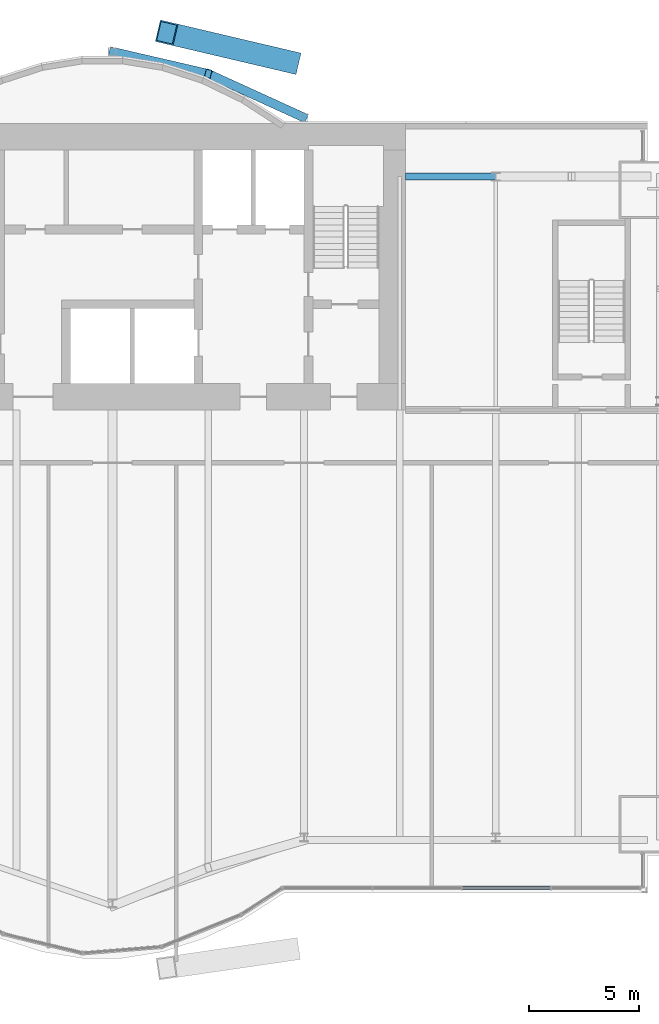
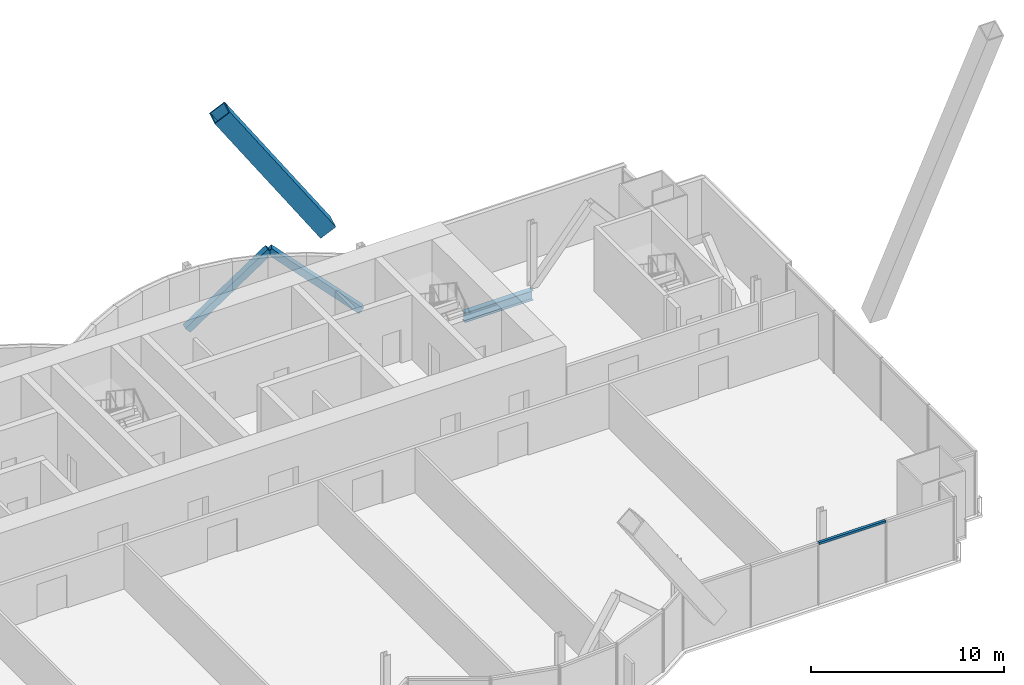
# One storey, part 13 of 24: 4 members, 1 beam, 1 element without a shape of its own.
"""IFC4 building model written with IfcOpenShell, lengths in metres."""

import ifcopenshell
import ifcopenshell.guid

model = None  # the IFC model being written
_history = None  # IfcOwnerHistory: only IFC2X3 demands one
_inside = {}  # id of a spatial element -> (the spatial element, [elements in it])
_under = {}  # id of a project, library or spatial element -> (it, [spatial elements below it])
_declared = {}  # id of a project -> (the project, [libraries it declares])
_typed = {}  # id of a type object -> (the type object, [elements of that type])
_made_of = {}  # id of a material, layer set ... -> (it, [elements and type objects made of it])


def new_model(schema):
    """Start an empty IFC model of exactly this schema.

    Asked for "IFC4X3", IfcOpenShell would pick the latest addendum, in which some entities
    have other attributes; the version numbers below select the first issue.
    IFC2X3 requires an IfcOwnerHistory on every rooted entity: one is made here for all.
    """
    global model, _history
    if schema == "IFC4X3":
        model = ifcopenshell.file(schema_version=(4, 3, 0, 0))
    else:
        model = ifcopenshell.file(schema=schema)
    _inside.clear()
    _under.clear()
    _declared.clear()
    _typed.clear()
    _made_of.clear()
    _history = None
    if model.schema == "IFC2X3":
        org = make("IfcOrganization", Name="unknown")
        user = make(
            "IfcPersonAndOrganization",
            ThePerson=make("IfcPerson", FamilyName="unknown"),
            TheOrganization=org,
        )
        app = make(
            "IfcApplication",
            ApplicationDeveloper=org,
            Version="unknown",
            ApplicationFullName="unknown",
            ApplicationIdentifier="unknown",
        )
        _history = make(
            "IfcOwnerHistory",
            OwningUser=user,
            OwningApplication=app,
            ChangeAction="ADDED",
            CreationDate=0,
        )
    return model


def make(cls, **values):
    """One entity of the class cls with the attributes given. An attribute that is None is left unset."""
    return model.create_entity(
        cls, **{name: value for name, value in values.items() if value is not None}
    )


def rooted(cls, **values):
    """An entity with a GlobalId (a new one), such as an element, a storey or a relation."""
    return make(cls, GlobalId=ifcopenshell.guid.new(), OwnerHistory=_history, **values)


def si_unit(unit_type, name, prefix=None):
    """IfcSIUnit, for example si_unit("LENGTHUNIT", "METRE", prefix="MILLI")."""
    return make("IfcSIUnit", UnitType=unit_type, Prefix=prefix, Name=name)


def assignment(units):
    """IfcUnitAssignment: the units of a project."""
    return None if units is None else make("IfcUnitAssignment", Units=units)


def point(xyz):
    """IfcCartesianPoint."""
    return None if xyz is None else make("IfcCartesianPoint", Coordinates=xyz)


def direction(xyz):
    """IfcDirection."""
    return None if xyz is None else make("IfcDirection", DirectionRatios=xyz)


def frame(location, z_axis=None, x_axis=None):
    """IfcAxis2Placement3D, a coordinate frame: its origin and axes. An axis left out is left unset."""
    return make(
        "IfcAxis2Placement3D",
        Location=point(location),
        Axis=direction(z_axis),
        RefDirection=direction(x_axis),
    )


def frame_2d(location, x_axis=None):
    """IfcAxis2Placement2D, a coordinate frame in the plane: its origin and x axis."""
    return make(
        "IfcAxis2Placement2D", Location=point(location), RefDirection=direction(x_axis)
    )


def origin():
    """The frame at (0, 0, 0) with its axes left unset."""
    return frame((0.0, 0.0, 0.0))


def origin_2d():
    """The frame at (0, 0) in the plane with its x axis left unset."""
    return frame_2d((0.0, 0.0))


def place(relative_to, where):
    """IfcLocalPlacement: puts the frame where relative to a parent placement (None: the world)."""
    return make(
        "IfcLocalPlacement", PlacementRelTo=relative_to, RelativePlacement=where
    )


def context(
    kind, dimensions, precision=None, world=None, true_north=None, identifier=None
):
    """IfcGeometricRepresentationContext, for example the 3D "Model" context."""
    return make(
        "IfcGeometricRepresentationContext",
        ContextIdentifier=identifier,
        ContextType=kind,
        CoordinateSpaceDimension=dimensions,
        Precision=precision,
        WorldCoordinateSystem=world,
        TrueNorth=true_north,
    )


def subcontext(parent, identifier, kind, view, scale=None):
    """IfcGeometricRepresentationSubContext, for example "Body" below "Model"."""
    return make(
        "IfcGeometricRepresentationSubContext",
        ContextIdentifier=identifier,
        ContextType=kind,
        ParentContext=parent,
        TargetScale=scale,
        TargetView=view,
    )


def project(units=None, contexts=None):
    """IfcProject with its units and contexts."""
    return rooted(
        "IfcProject",
        Name="project",
        RepresentationContexts=contexts,
        UnitsInContext=assignment(units),
    )


def spatial(cls, under=None, at=None, **own):
    """A site, building, storey or space (cls), placed at a placement, below another one or the project."""
    s = rooted(cls, ObjectPlacement=at, **own)
    if under is not None:
        _under.setdefault(under.id(), (under, []))[1].append(s)
    return s


def profile(cls, at=None, kind="AREA", **sizes):
    """A parametric profile (cls). Its sizes go by their IFC names, for example OverallWidth=200.0."""
    return make(cls, ProfileType=kind, Position=at, **sizes)


def rectangle(**sizes):
    """IfcRectangleProfileDef."""
    return profile("IfcRectangleProfileDef", **sizes)


def hollow_rectangle(**sizes):
    """IfcRectangleHollowProfileDef."""
    return profile("IfcRectangleHollowProfileDef", **sizes)


def i_section(**sizes):
    """IfcIShapeProfileDef."""
    return profile("IfcIShapeProfileDef", **sizes)


def extrude(swept, where, along, depth):
    """IfcExtrudedAreaSolid: the profile swept, set in the frame where, extruded along a direction by depth."""
    return make(
        "IfcExtrudedAreaSolid",
        SweptArea=swept,
        Position=where,
        ExtrudedDirection=direction(along),
        Depth=depth,
    )


def shape(context_of_items, identifier, shape_type, items):
    """IfcShapeRepresentation: the items that make up one representation, for example the "Body"."""
    return make(
        "IfcShapeRepresentation",
        ContextOfItems=context_of_items,
        RepresentationIdentifier=identifier,
        RepresentationType=shape_type,
        Items=items,
    )


def material(Name=None, Category=None):
    """IfcMaterial."""
    return make("IfcMaterial", Name=Name, Category=Category)


def material_profile(
    of_material, cross_section, Name=None, Category=None, Priority=None
):
    """IfcMaterialProfile: a cross section and its material."""
    return make(
        "IfcMaterialProfile",
        Name=Name,
        Material=of_material,
        Profile=cross_section,
        Priority=Priority,
        Category=Category,
    )


def profile_set(profiles, Name=None, composite=None):
    """IfcMaterialProfileSet."""
    return make(
        "IfcMaterialProfileSet",
        Name=Name,
        MaterialProfiles=profiles,
        CompositeProfile=composite,
    )


def made_of(thing, what):
    """Note that an element or type object is made of a material, layer set ...; save() writes the relation."""
    if what is not None:
        _made_of.setdefault(what.id(), (what, []))[1].append(thing)
    return thing


def type_object(cls, material=None, **own):
    """A type object (cls), such as IfcWallType, which elements share."""
    return made_of(rooted(cls, **own), material)


def element(
    cls,
    number,
    at=None,
    inside=None,
    cuts=None,
    type_object=None,
    material=None,
    context=None,
    identifier="Body",
    shape_type=None,
    held_by="IfcProductDefinitionShape",
    body=None,
    shapes=None,
    **own,
):
    """One element of the class cls, such as IfcWall. Its Tag is "e" and its number.

    at: its placement. inside: the storey or other place that contains it. cuts: it is an
    opening in that element (IfcRelVoidsElement). A single representation is given by context,
    identifier, shape_type and body (its items); several are given by shapes. held_by: the class
    of the entity that holds the representations. save() writes the other relations.
    """
    e = rooted(cls, Tag="e%d" % number, ObjectPlacement=at, **own)
    if body is not None:
        shapes = [shape(context, identifier, shape_type, body)]
    if shapes is not None:
        e.Representation = make(held_by, Representations=shapes)
    if inside is not None:
        _inside.setdefault(inside.id(), (inside, []))[1].append(e)
    if cuts is not None:
        rooted(
            "IfcRelVoidsElement", RelatingBuildingElement=cuts, RelatedOpeningElement=e
        )
    if type_object is not None:
        _typed.setdefault(type_object.id(), (type_object, []))[1].append(e)
    return made_of(e, material)


def aggregate(whole, parts):
    """IfcRelAggregates: a whole, such as a stair, and the parts it consists of."""
    return rooted("IfcRelAggregates", RelatingObject=whole, RelatedObjects=parts)


def save(model, path):
    """Write the relations noted so far, then the file.

    IfcRelAggregates (storeys below a building ...), IfcRelContainedInSpatialStructure (elements
    in a storey), IfcRelDefinesByType, IfcRelAssociatesMaterial and IfcRelDeclares: one each for
    every whole, place, type object, material and project.
    """
    for whole, parts in _under.values():
        aggregate(whole, parts)
    for where, things in _inside.values():
        rooted(
            "IfcRelContainedInSpatialStructure",
            RelatedElements=things,
            RelatingStructure=where,
        )
    for kind, things in _typed.values():
        rooted("IfcRelDefinesByType", RelatedObjects=things, RelatingType=kind)
    for what, things in _made_of.values():
        rooted("IfcRelAssociatesMaterial", RelatedObjects=things, RelatingMaterial=what)
    for by, libraries in _declared.values():
        rooted("IfcRelDeclares", RelatingContext=by, RelatedDefinitions=libraries)
    model.write(path)


model = new_model("IFC4")

# Units and contexts
model_context = context("Model", 3, precision=1e-05, world=origin(), true_north=direction((0.0, 1.0)))
body_context = subcontext(model_context, "Body", "Model", "MODEL_VIEW")
ifc_project = project(units=[si_unit("LENGTHUNIT", "METRE"), si_unit("AREAUNIT", "SQUARE_METRE"), si_unit("VOLUMEUNIT", "CUBIC_METRE"), si_unit("PLANEANGLEUNIT", "RADIAN"), si_unit("MASSUNIT", "GRAM", prefix="KILO")], contexts=[model_context])

# Site, building, storey
site_placement = place(None, origin())
site = spatial("IfcSite", under=ifc_project, at=site_placement, CompositionType="ELEMENT")
building_placement = place(site_placement, origin())
building = spatial("IfcBuilding", under=site, at=building_placement, Name="Bicima Exchange Tower", CompositionType="ELEMENT")
storey_placement = place(building_placement, frame((0.0, 0.0, 160.89990234375)))
storey = spatial("IfcBuildingStorey", under=building, at=storey_placement, Name="L35", CompositionType="ELEMENT", Elevation=160.89990234375)

# Member
ifc_material_1 = material(Name="Steel ASTM A572 Gr 50", Category="steel")
ifc_material_profile_1 = material_profile(ifc_material_1, hollow_rectangle(XDim=1.0, YDim=1.0, WallThickness=0.06005859375, at=origin_2d()))
ifc_profile_set_1 = profile_set([ifc_material_profile_1], Name="Steel ASTM A572 Gr 50")
member_type_1 = type_object("IfcMemberType", Name="Exo mega brace BOX 1000x1000x60", PredefinedType="BRACE", material=ifc_profile_set_1)
member_1_placement = place(storey_placement, frame((16.75, 2.8125, 3.85009765625), z_axis=(-0.54817644634, 0.128864251848, 0.826375573377), x_axis=(-0.228840031766, -0.973464041381, 0.0)))
element("IfcMember", 1, at=member_1_placement, inside=storey, type_object=member_type_1, Name="Exo mega brace rear", PredefinedType="BRACE", context=body_context, shape_type="SweptSolid", body=[
    extrude(hollow_rectangle(XDim=1.0, YDim=1.0, WallThickness=0.06005859375, at=origin_2d()), origin(), (0.0, 0.0, 1.0), 10.18505859375),
])

# Curtain wall, member
ifc_material_2 = material(Name="Anodised bronze aluminium", Category="aluminium")
curtain_wall_type = type_object("IfcCurtainWallType", Name="Front glass wall", PredefinedType="NOTDEFINED", material=ifc_material_2)
curtain_wall_placement = place(storey_placement, origin())
curtain_wall = element("IfcCurtainWall", 2, at=curtain_wall_placement, inside=storey, type_object=curtain_wall_type, Name="Front glass wall L35 run 16", PredefinedType="NOTDEFINED")
ifc_material_profile_2 = material_profile(ifc_material_2, rectangle(XDim=0.159912109375, YDim=0.139892578125, at=origin_2d()))
ifc_profile_set_2 = profile_set([ifc_material_profile_2], Name="Anodised bronze aluminium")
member_type_2 = type_object("IfcMemberType", Name="Front glass wall transom 140 x 160", PredefinedType="USERDEFINED", material=ifc_profile_set_2)
member_2_placement = place(storey_placement, frame((24.591064453125, -34.694091796875, 3.880126953125), z_axis=(1.0, 0.0, 0.0), x_axis=(0.0, 1.0, 0.0)))
member_2 = element("IfcMember", 3, at=member_2_placement, type_object=member_type_2, Name="Front glass wall transom 3.1", ObjectType="TRANSOM", PredefinedType="USERDEFINED", context=body_context, shape_type="SweptSolid", body=[
    extrude(rectangle(XDim=0.159912109375, YDim=0.139892578125, at=origin_2d()), origin(), (0.0, 0.0, 1.0), 3.989501953125),
])
aggregate(curtain_wall, [member_2])

# Members
ifc_material_profile_3 = material_profile(ifc_material_1, hollow_rectangle(XDim=0.406494140625, YDim=0.406494140625, WallThickness=0.017822265625, at=origin_2d()))
ifc_profile_set_3 = profile_set([ifc_material_profile_3], Name="Steel ASTM A572 Gr 50")
member_type_3 = type_object("IfcMemberType", Name="Mega brace HSS16x16x3/4", PredefinedType="BRACE", material=ifc_profile_set_3)
member_3_placement = place(storey_placement, frame((8.699951171875, 3.26904296875, 0.0), z_axis=(0.717605620354, -0.166050509188, 0.676364843878), x_axis=(0.225438503722, 0.974257399787, 0.0)))
element("IfcMember", 4, at=member_3_placement, inside=storey, type_object=member_type_3, Name="Mega brace rexo", PredefinedType="BRACE", context=body_context, shape_type="SweptSolid", body=[
    extrude(hollow_rectangle(XDim=0.406494140625, YDim=0.406494140625, WallThickness=0.017822265625, at=origin_2d()), origin(), (0.0, 0.0, 1.0), 6.06201171875),
])
member_4_placement = place(storey_placement, frame((17.39990234375, 0.278076171875, 0.0), z_axis=(-0.690628963585, 0.315060460011, 0.650975069565), x_axis=(-0.415045223819, -0.909800781592, 0.0)))
element("IfcMember", 5, at=member_4_placement, inside=storey, type_object=member_type_3, Name="Mega brace rexo", PredefinedType="BRACE", context=body_context, shape_type="SweptSolid", body=[
    extrude(hollow_rectangle(XDim=0.406494140625, YDim=0.406494140625, WallThickness=0.017822265625, at=origin_2d()), origin(), (0.0, 0.0, 1.0), 6.29833984375),
])

# Beam
ifc_material_3 = material(Name="Steel ASTM A992 Gr 50", Category="steel")
ifc_material_profile_4 = material_profile(ifc_material_3, i_section(OverallWidth=0.3251953125, OverallDepth=0.612060546875, WebThickness=0.0126953125, FlangeThickness=0.01904296875, at=origin_2d()))
ifc_profile_set_4 = profile_set([ifc_material_profile_4], Name="Steel ASTM A992 Gr 50")
beam_type = type_object("IfcBeamType", Name="Rear girder W24x104", PredefinedType="BEAM", material=ifc_profile_set_4)
beam_placement = place(storey_placement, frame((22.0, -2.39990234375, -0.4560546875), z_axis=(1.0, 0.0, 0.0), x_axis=(0.0, 1.0, 0.0)))
element("IfcBeam", 6, at=beam_placement, inside=storey, type_object=beam_type, Name="Rear girder", PredefinedType="BEAM", context=body_context, shape_type="SweptSolid", body=[
    extrude(i_section(OverallWidth=0.3251953125, OverallDepth=0.612060546875, WebThickness=0.0126953125, FlangeThickness=0.01904296875, at=origin_2d()), origin(), (0.0, 0.0, 1.0), 4.10009765625),
])

save(model, "model.ifc")
